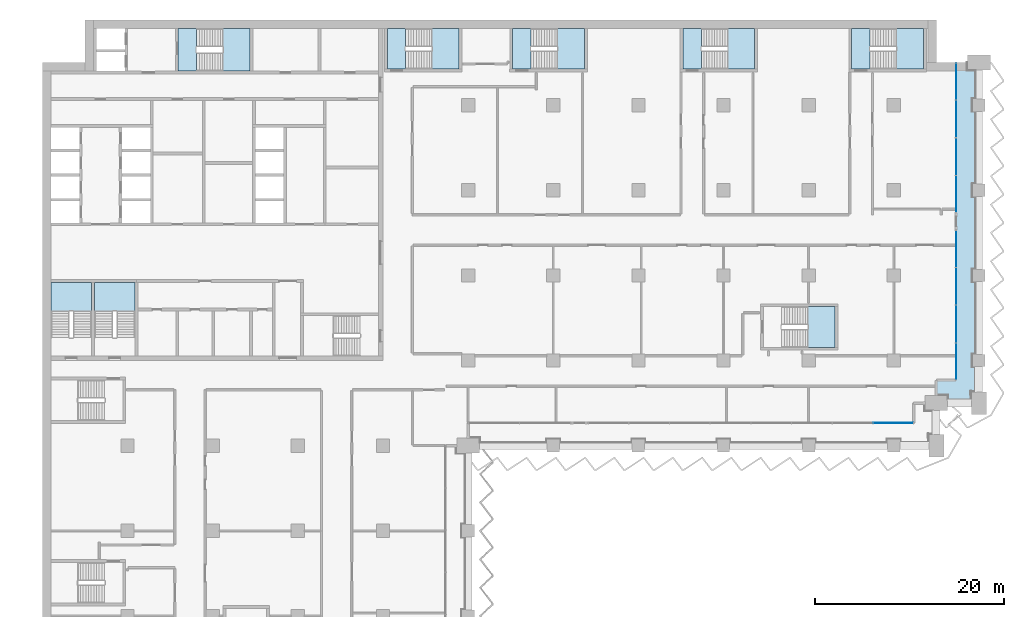
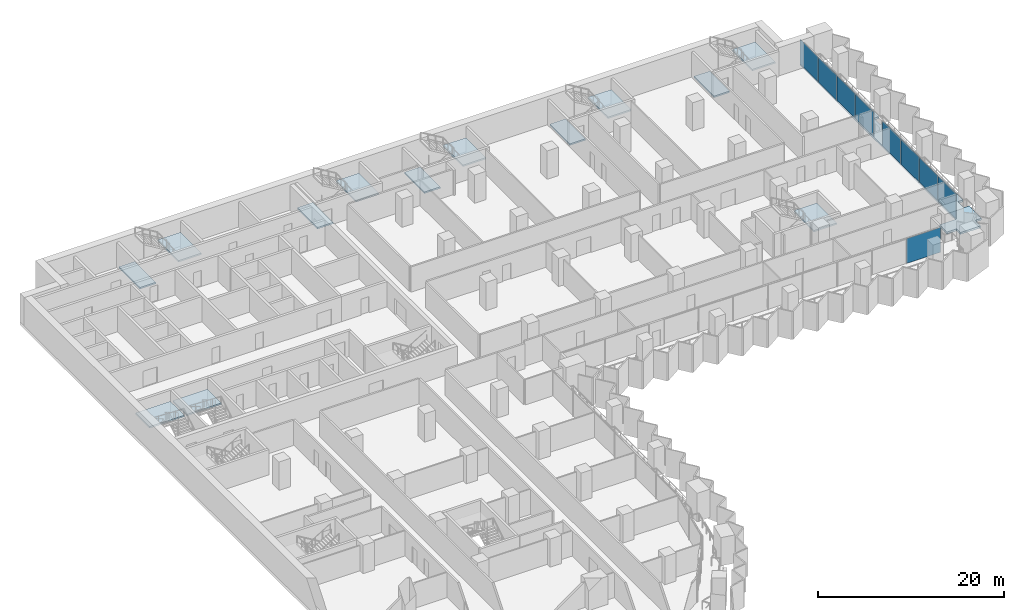
# One storey, part 9 of 29: 14 slabs, 9 plates, 11 elements without a shape of their own.
"""IFC4 building model written with IfcOpenShell, lengths in metres."""

from ifc_helpers import new_model, si_unit, direction, frame, origin, origin_2d, place, context, subcontext, project, spatial, polyline, rectangle, outline, extrude, material, layer, layer_set, type_object, element, aggregate, save


model = new_model("IFC4")

# Units and contexts
model_context = context("Model", 3, precision=1e-05, world=origin(), true_north=direction((0.0, 1.0)))
body_context = subcontext(model_context, "Body", "Model", "MODEL_VIEW")
ifc_project = project(units=[si_unit("LENGTHUNIT", "METRE"), si_unit("AREAUNIT", "SQUARE_METRE"), si_unit("VOLUMEUNIT", "CUBIC_METRE"), si_unit("PLANEANGLEUNIT", "RADIAN"), si_unit("MASSUNIT", "GRAM", prefix="KILO")], contexts=[model_context])

# Site, building, storey
site_placement = place(None, origin())
site = spatial("IfcSite", under=ifc_project, at=site_placement, CompositionType="ELEMENT")
building_placement = place(site_placement, origin())
building = spatial("IfcBuilding", under=site, at=building_placement, Name="Hunhe Ridgeline Campus", CompositionType="ELEMENT")
storey_placement = place(building_placement, frame((0.0, 0.0, 65.39990234375)))
storey = spatial("IfcBuildingStorey", under=building, at=storey_placement, Name="L15", CompositionType="ELEMENT", Elevation=65.39990234375)

# Curtain wall, plate
ifc_material_1 = material(Name="Aluminium 6063", Category="aluminium")
curtain_wall_type = type_object("IfcCurtainWallType", Name="Curtain wall CW-1", PredefinedType="NOTDEFINED", material=ifc_material_1)
curtain_wall_1_placement = place(storey_placement, origin())
curtain_wall_1 = element("IfcCurtainWall", 1, at=curtain_wall_1_placement, inside=storey, type_object=curtain_wall_type, Name="Curtain wall 13", PredefinedType="NOTDEFINED")
ifc_material_2 = material(Name="Low-e laminated glass", Category="glass")
ifc_layer_1 = layer(ifc_material_2, 0.028076171875)
ifc_layer_set_1 = layer_set([ifc_layer_1], Name="Curtain wall glass panel 28 low-e laminated")
plate_type = type_object("IfcPlateType", Name="Curtain wall glass panel 28 low-e laminated", PredefinedType="CURTAIN_PANEL", material=ifc_layer_set_1)
plate_1_placement = place(storey_placement, frame((89.932373046875, 56.40087890625, 0.0), z_axis=(0.0, 0.0, 1.0), x_axis=(0.999999999994, 3.602063e-06, 0.0)))
plate_1 = element("IfcPlate", 2, at=plate_1_placement, type_object=plate_type, Name="CW-1 panel 8", PredefinedType="CURTAIN_PANEL", context=body_context, shape_type="SweptSolid", body=[
    extrude(rectangle(XDim=4.213134765625, YDim=0.028076171875, at=origin_2d()), origin(), (0.0, 0.0, 1.0), 3.239990234375),
])
aggregate(curtain_wall_1, [plate_1])

# Curtain wall, plates
curtain_wall_2_placement = place(storey_placement, origin())
curtain_wall_2 = element("IfcCurtainWall", 3, at=curtain_wall_2_placement, inside=storey, type_object=curtain_wall_type, Name="Curtain wall 14", PredefinedType="NOTDEFINED")
plate_2_placement = place(storey_placement, frame((96.59912109375, 62.9033203125, 0.0), z_axis=(0.0, 0.0, 1.0), x_axis=(0.0, 1.0, 0.0)))
plate_2 = element("IfcPlate", 4, at=plate_2_placement, type_object=plate_type, Name="CW-1 panel 1", PredefinedType="CURTAIN_PANEL", context=body_context, shape_type="SweptSolid", body=[
    extrude(rectangle(XDim=3.884765625, YDim=0.028076171875, at=origin_2d()), origin(), (0.0, 0.0, 1.0), 3.239990234375),
])
plate_3_placement = place(storey_placement, frame((96.59912109375, 66.86328125, 0.0), z_axis=(0.0, 0.0, 1.0), x_axis=(0.0, 1.0, 0.0)))
plate_3 = element("IfcPlate", 5, at=plate_3_placement, type_object=plate_type, Name="CW-1 panel 2", PredefinedType="CURTAIN_PANEL", context=body_context, shape_type="SweptSolid", body=[
    extrude(rectangle(XDim=3.914794921875, YDim=0.028076171875, at=origin_2d()), origin(), (0.0, 0.0, 1.0), 3.239990234375),
])
plate_4_placement = place(storey_placement, frame((96.59912109375, 70.838134765625, 0.0), z_axis=(0.0, 0.0, 1.0), x_axis=(0.0, 1.0, 0.0)))
plate_4 = element("IfcPlate", 6, at=plate_4_placement, type_object=plate_type, Name="CW-1 panel 3", PredefinedType="CURTAIN_PANEL", context=body_context, shape_type="SweptSolid", body=[
    extrude(rectangle(XDim=3.914794921875, YDim=0.028076171875, at=origin_2d()), origin(), (0.0, 0.0, 1.0), 3.239990234375),
])
plate_5_placement = place(storey_placement, frame((96.59912109375, 74.798095703125, 0.0), z_axis=(0.0, 0.0, 1.0), x_axis=(0.0, 1.0, 0.0)))
plate_5 = element("IfcPlate", 7, at=plate_5_placement, type_object=plate_type, Name="CW-1 panel 4", PredefinedType="CURTAIN_PANEL", context=body_context, shape_type="SweptSolid", body=[
    extrude(rectangle(XDim=3.884765625, YDim=0.028076171875, at=origin_2d()), origin(), (0.0, 0.0, 1.0), 3.239990234375),
])
aggregate(curtain_wall_2, [plate_2, plate_3, plate_4, plate_5])

curtain_wall_3_placement = place(storey_placement, origin())
curtain_wall_3 = element("IfcCurtainWall", 8, at=curtain_wall_3_placement, inside=storey, type_object=curtain_wall_type, Name="Curtain wall 15", PredefinedType="NOTDEFINED")
plate_6_placement = place(storey_placement, frame((96.59912109375, 80.60302734375, 0.0), z_axis=(0.0, 0.0, 1.0), x_axis=(0.0, 1.0, 0.0)))
plate_6 = element("IfcPlate", 9, at=plate_6_placement, type_object=plate_type, Name="CW-1 panel 1", PredefinedType="CURTAIN_PANEL", context=body_context, shape_type="SweptSolid", body=[
    extrude(rectangle(XDim=3.884765625, YDim=0.028076171875, at=origin_2d()), origin(), (0.0, 0.0, 1.0), 3.239990234375),
])
plate_7_placement = place(storey_placement, frame((96.59912109375, 84.562744140625, 0.0), z_axis=(0.0, 0.0, 1.0), x_axis=(0.0, 1.0, 0.0)))
plate_7 = element("IfcPlate", 10, at=plate_7_placement, type_object=plate_type, Name="CW-1 panel 2", PredefinedType="CURTAIN_PANEL", context=body_context, shape_type="SweptSolid", body=[
    extrude(rectangle(XDim=3.914794921875, YDim=0.028076171875, at=origin_2d()), origin(), (0.0, 0.0, 1.0), 3.239990234375),
])
plate_8_placement = place(storey_placement, frame((96.59912109375, 88.53759765625, 0.0), z_axis=(0.0, 0.0, 1.0), x_axis=(0.0, 1.0, 0.0)))
plate_8 = element("IfcPlate", 11, at=plate_8_placement, type_object=plate_type, Name="CW-1 panel 3", PredefinedType="CURTAIN_PANEL", context=body_context, shape_type="SweptSolid", body=[
    extrude(rectangle(XDim=3.914794921875, YDim=0.028076171875, at=origin_2d()), origin(), (0.0, 0.0, 1.0), 3.239990234375),
])
plate_9_placement = place(storey_placement, frame((96.59912109375, 92.49755859375, 0.0), z_axis=(0.0, 0.0, 1.0), x_axis=(0.0, 1.0, 0.0)))
plate_9 = element("IfcPlate", 12, at=plate_9_placement, type_object=plate_type, Name="CW-1 panel 4", PredefinedType="CURTAIN_PANEL", context=body_context, shape_type="SweptSolid", body=[
    extrude(rectangle(XDim=3.884765625, YDim=0.028076171875, at=origin_2d()), origin(), (0.0, 0.0, 1.0), 3.239990234375),
])
aggregate(curtain_wall_3, [plate_6, plate_7, plate_8, plate_9])

# Slab
ifc_material_3 = material(Name="Concrete C40", Category="concrete")
ifc_layer_2 = layer(ifc_material_3, 0.25)
ifc_layer_set_2 = layer_set([ifc_layer_2], Name="Loggia slab 250 Concrete C40")
slab_type_1 = type_object("IfcSlabType", Name="Loggia slab 250 Concrete C40", PredefinedType="FLOOR", material=ifc_layer_set_2)
slab_1_placement = place(storey_placement, frame((0.0, 0.0, -0.25)))
element("IfcSlab", 13, at=slab_1_placement, inside=storey, type_object=slab_type_1, Name="Loggia slab 3", PredefinedType="FLOOR", context=body_context, shape_type="SweptSolid", body=[
    extrude(outline(polyline([(94.5, 59.300048828125), (95.699951171875, 59.300048828125), (95.699951171875, 58.5), (98.199951171875, 58.5), (98.199951171875, 59.699951171875), (99.0, 59.699951171875), (99.0, 62.35009765625), (98.35009765625, 62.35009765625), (98.35009765625, 63.64990234375), (99.0, 63.64990234375), (99.0, 71.35009765625), (98.35009765625, 71.35009765625), (98.35009765625, 72.64990234375), (99.0, 72.64990234375), (99.0, 80.35009765625), (98.35009765625, 80.35009765625), (98.35009765625, 81.64990234375), (99.0, 81.64990234375), (99.0, 89.35009765625), (98.35009765625, 89.35009765625), (98.35009765625, 90.64990234375), (99.0, 90.64990234375), (99.0, 93.699951171875), (97.800048828125, 93.699951171875), (97.800048828125, 94.5), (96.60009765625, 94.5), (96.60009765625, 60.89990234375), (94.5, 60.89990234375), (94.5, 59.300048828125)])), origin(), (0.0, 0.0, 1.0), 0.25),
])

# Stair, slab
stair_type = type_object("IfcStairType", Name="Reinforced concrete dog-leg stair 1950 Concrete C40", PredefinedType="HALF_TURN_STAIR", material=ifc_material_3)
stair_1_placement = place(storey_placement, origin())
stair_1 = element("IfcStair", 14, at=stair_1_placement, inside=storey, type_object=stair_type, Name="L15 S1", PredefinedType="HALF_TURN_STAIR")
ifc_layer_3 = layer(ifc_material_3, 0.199951171875)
ifc_layer_set_3 = layer_set([ifc_layer_3], Name="Reinforced concrete stair landing 200 Concrete C40")
slab_type_2 = type_object("IfcSlabType", Name="Reinforced concrete stair landing 200 Concrete C40", PredefinedType="LANDING", material=ifc_layer_set_3)
slab_2_placement = place(storey_placement, frame((0.0, 0.0, 1.650146484375)))
slab_2 = element("IfcSlab", 15, at=slab_2_placement, type_object=slab_type_2, Name="ST1 landing 1", PredefinedType="LANDING", context=body_context, shape_type="SweptSolid", body=[
    extrude(outline(polyline([(19.10009765625, 93.60009765625), (21.949951171875, 93.60009765625), (21.949951171875, 98.10009765625), (19.10009765625, 98.10009765625), (19.10009765625, 93.60009765625)])), origin(), (0.0, 0.0, 1.0), 0.199951171875),
])
aggregate(stair_1, [slab_2])

# Slab
slab_3_placement = place(storey_placement, frame((0.0, 0.0, -0.199951171875)))
element("IfcSlab", 16, at=slab_3_placement, inside=storey, type_object=slab_type_2, Name="L15 stair S1 floor landing", PredefinedType="LANDING", context=body_context, shape_type="SweptSolid", body=[
    extrude(outline(polyline([(14.35009765625, 93.60009765625), (16.300048828125, 93.60009765625), (16.300048828125, 98.10009765625), (14.35009765625, 98.10009765625), (14.35009765625, 93.60009765625)])), origin(), (0.0, 0.0, 1.0), 0.199951171875),
])

# Stair, slab
stair_2_placement = place(storey_placement, origin())
stair_2 = element("IfcStair", 17, at=stair_2_placement, inside=storey, type_object=stair_type, Name="L15 S3", PredefinedType="HALF_TURN_STAIR")
slab_4_placement = place(storey_placement, frame((0.0, 0.0, 1.650146484375)))
slab_4 = element("IfcSlab", 18, at=slab_4_placement, type_object=slab_type_2, Name="ST3 landing 1", PredefinedType="LANDING", context=body_context, shape_type="SweptSolid", body=[
    extrude(outline(polyline([(5.199951171875, 68.25), (5.199951171875, 71.25), (0.89990234375, 71.25), (0.89990234375, 68.25), (5.199951171875, 68.25)])), origin(), (0.0, 0.0, 1.0), 0.199951171875),
])
aggregate(stair_2, [slab_4])

stair_3_placement = place(storey_placement, origin())
stair_3 = element("IfcStair", 19, at=stair_3_placement, inside=storey, type_object=stair_type, Name="L15 S4", PredefinedType="HALF_TURN_STAIR")
slab_5_placement = place(storey_placement, frame((0.0, 0.0, 1.650146484375)))
slab_5 = element("IfcSlab", 20, at=slab_5_placement, type_object=slab_type_2, Name="ST4 landing 1", PredefinedType="LANDING", context=body_context, shape_type="SweptSolid", body=[
    extrude(outline(polyline([(9.800048828125, 68.25), (9.800048828125, 71.25), (5.5, 71.25), (5.5, 68.25), (9.800048828125, 68.25)])), origin(), (0.0, 0.0, 1.0), 0.199951171875),
])
aggregate(stair_3, [slab_5])

stair_4_placement = place(storey_placement, origin())
stair_4 = element("IfcStair", 21, at=stair_4_placement, inside=storey, type_object=stair_type, Name="L15 E1", PredefinedType="HALF_TURN_STAIR")
slab_6_placement = place(storey_placement, frame((0.0, 0.0, 1.650146484375)))
slab_6 = element("IfcSlab", 22, at=slab_6_placement, type_object=slab_type_2, Name="ST5 landing 1", PredefinedType="LANDING", context=body_context, shape_type="SweptSolid", body=[
    extrude(outline(polyline([(41.199951171875, 93.800048828125), (44.050048828125, 93.800048828125), (44.050048828125, 98.10009765625), (41.199951171875, 98.10009765625), (41.199951171875, 93.800048828125)])), origin(), (0.0, 0.0, 1.0), 0.199951171875),
])
aggregate(stair_4, [slab_6])

# Slab
slab_7_placement = place(storey_placement, frame((0.0, 0.0, -0.199951171875)))
element("IfcSlab", 23, at=slab_7_placement, inside=storey, type_object=slab_type_2, Name="L15 stair E1 floor landing", PredefinedType="LANDING", context=body_context, shape_type="SweptSolid", body=[
    extrude(outline(polyline([(36.449951171875, 93.800048828125), (38.39990234375, 93.800048828125), (38.39990234375, 98.10009765625), (36.449951171875, 98.10009765625), (36.449951171875, 93.800048828125)])), origin(), (0.0, 0.0, 1.0), 0.199951171875),
])

# Stair, slab
stair_5_placement = place(storey_placement, origin())
stair_5 = element("IfcStair", 24, at=stair_5_placement, inside=storey, type_object=stair_type, Name="L15 E2", PredefinedType="HALF_TURN_STAIR")
slab_8_placement = place(storey_placement, frame((0.0, 0.0, 1.650146484375)))
slab_8 = element("IfcSlab", 25, at=slab_8_placement, type_object=slab_type_2, Name="ST6 landing 1", PredefinedType="LANDING", context=body_context, shape_type="SweptSolid", body=[
    extrude(outline(polyline([(54.449951171875, 93.800048828125), (57.300048828125, 93.800048828125), (57.300048828125, 98.10009765625), (54.449951171875, 98.10009765625), (54.449951171875, 93.800048828125)])), origin(), (0.0, 0.0, 1.0), 0.199951171875),
])
aggregate(stair_5, [slab_8])

# Slab
slab_9_placement = place(storey_placement, frame((0.0, 0.0, -0.199951171875)))
element("IfcSlab", 26, at=slab_9_placement, inside=storey, type_object=slab_type_2, Name="L15 stair E2 floor landing", PredefinedType="LANDING", context=body_context, shape_type="SweptSolid", body=[
    extrude(outline(polyline([(49.699951171875, 93.800048828125), (51.64990234375, 93.800048828125), (51.64990234375, 98.10009765625), (49.699951171875, 98.10009765625), (49.699951171875, 93.800048828125)])), origin(), (0.0, 0.0, 1.0), 0.199951171875),
])

# Stair, slab
stair_6_placement = place(storey_placement, origin())
stair_6 = element("IfcStair", 27, at=stair_6_placement, inside=storey, type_object=stair_type, Name="L15 E3", PredefinedType="HALF_TURN_STAIR")
slab_10_placement = place(storey_placement, frame((0.0, 0.0, 1.650146484375)))
slab_10 = element("IfcSlab", 28, at=slab_10_placement, type_object=slab_type_2, Name="ST7 landing 1", PredefinedType="LANDING", context=body_context, shape_type="SweptSolid", body=[
    extrude(outline(polyline([(72.449951171875, 93.800048828125), (75.300048828125, 93.800048828125), (75.300048828125, 98.10009765625), (72.449951171875, 98.10009765625), (72.449951171875, 93.800048828125)])), origin(), (0.0, 0.0, 1.0), 0.199951171875),
])
aggregate(stair_6, [slab_10])

# Slab
slab_11_placement = place(storey_placement, frame((0.0, 0.0, -0.199951171875)))
element("IfcSlab", 29, at=slab_11_placement, inside=storey, type_object=slab_type_2, Name="L15 stair E3 floor landing", PredefinedType="LANDING", context=body_context, shape_type="SweptSolid", body=[
    extrude(outline(polyline([(67.699951171875, 93.800048828125), (69.64990234375, 93.800048828125), (69.64990234375, 98.10009765625), (67.699951171875, 98.10009765625), (67.699951171875, 93.800048828125)])), origin(), (0.0, 0.0, 1.0), 0.199951171875),
])

# Stair, slab
stair_7_placement = place(storey_placement, origin())
stair_7 = element("IfcStair", 30, at=stair_7_placement, inside=storey, type_object=stair_type, Name="L15 E4", PredefinedType="HALF_TURN_STAIR")
slab_12_placement = place(storey_placement, frame((0.0, 0.0, 1.650146484375)))
slab_12 = element("IfcSlab", 31, at=slab_12_placement, type_object=slab_type_2, Name="ST8 landing 1", PredefinedType="LANDING", context=body_context, shape_type="SweptSolid", body=[
    extrude(outline(polyline([(90.300048828125, 93.800048828125), (93.14990234375, 93.800048828125), (93.14990234375, 98.10009765625), (90.300048828125, 98.10009765625), (90.300048828125, 93.800048828125)])), origin(), (0.0, 0.0, 1.0), 0.199951171875),
])
aggregate(stair_7, [slab_12])

# Slab
slab_13_placement = place(storey_placement, frame((0.0, 0.0, -0.199951171875)))
element("IfcSlab", 32, at=slab_13_placement, inside=storey, type_object=slab_type_2, Name="L15 stair E4 floor landing", PredefinedType="LANDING", context=body_context, shape_type="SweptSolid", body=[
    extrude(outline(polyline([(85.550048828125, 93.800048828125), (87.5, 93.800048828125), (87.5, 98.10009765625), (85.550048828125, 98.10009765625), (85.550048828125, 93.800048828125)])), origin(), (0.0, 0.0, 1.0), 0.199951171875),
])

# Stair, slab
stair_8_placement = place(storey_placement, origin())
stair_8 = element("IfcStair", 33, at=stair_8_placement, inside=storey, type_object=stair_type, Name="L15 E5", PredefinedType="HALF_TURN_STAIR")
slab_14_placement = place(storey_placement, frame((0.0, 0.0, 1.650146484375)))
slab_14 = element("IfcSlab", 34, at=slab_14_placement, type_object=slab_type_2, Name="ST10 landing 1", PredefinedType="LANDING", context=body_context, shape_type="SweptSolid", body=[
    extrude(outline(polyline([(80.949951171875, 64.39990234375), (83.800048828125, 64.39990234375), (83.800048828125, 68.699951171875), (80.949951171875, 68.699951171875), (80.949951171875, 64.39990234375)])), origin(), (0.0, 0.0, 1.0), 0.199951171875),
])
aggregate(stair_8, [slab_14])

save(model, "model.ifc")
